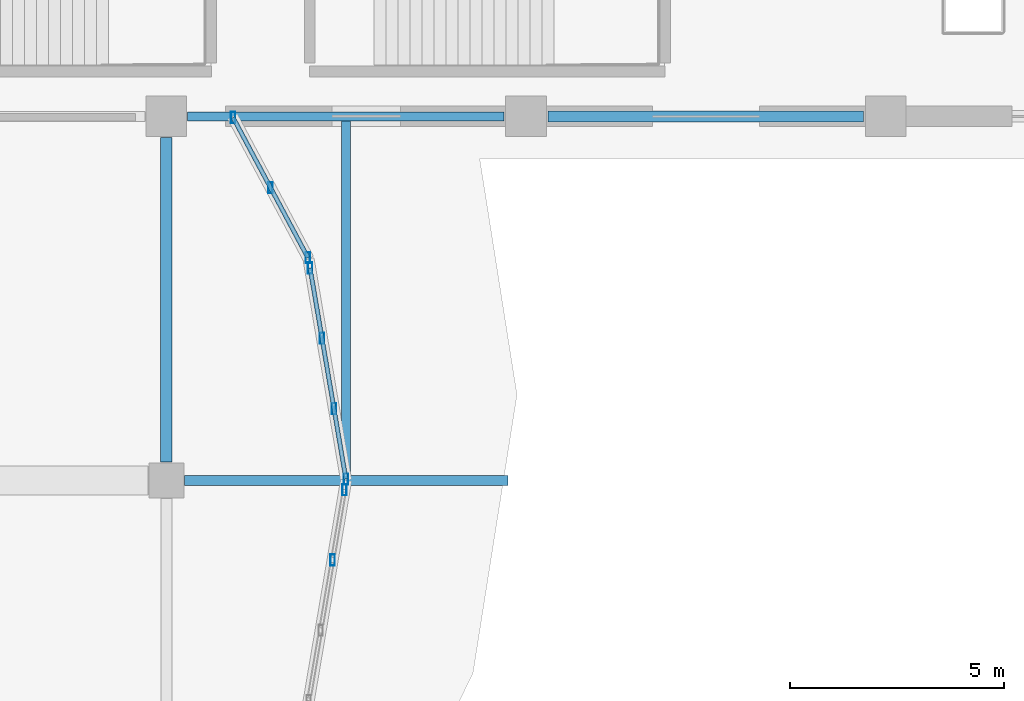
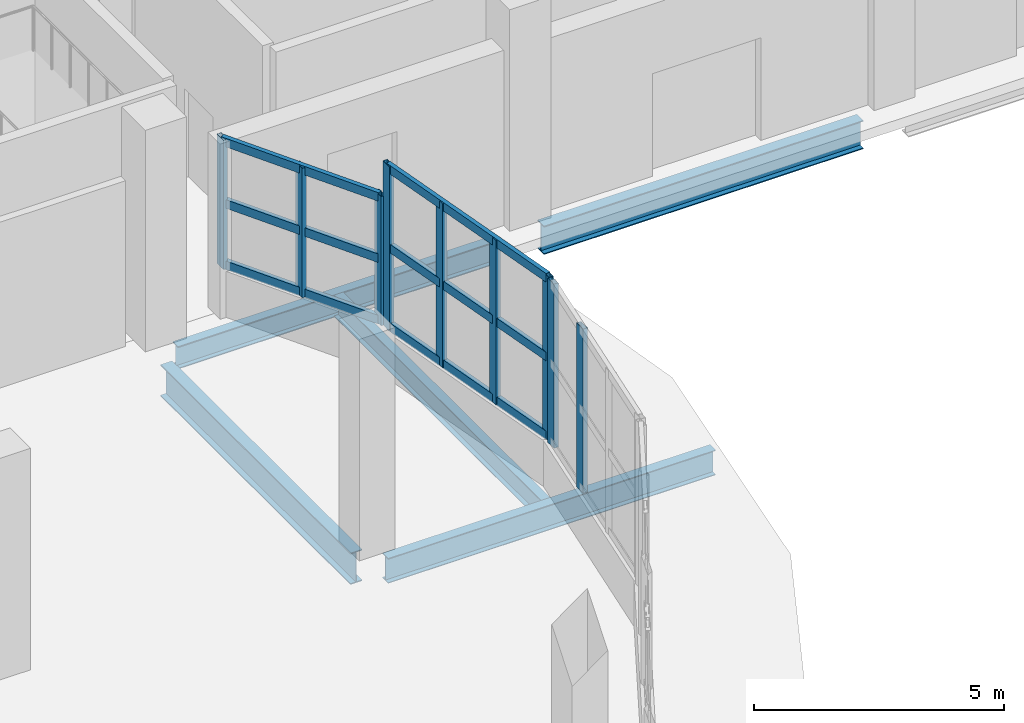
# One storey, part 16 of 107: 15 members, 5 beams, 3 elements without a shape of their own.
"""IFC4 building model written with IfcOpenShell, lengths in metres."""

from ifc_helpers import new_model, si_unit, direction, frame, origin, origin_2d, place, context, subcontext, project, spatial, hollow_rectangle, i_section, extrude, material, material_profile, profile_set, type_object, element, aggregate, save


model = new_model("IFC4")

# Units and contexts
model_context = context("Model", 3, precision=1e-05, world=origin(), true_north=direction((0.0, 1.0)))
body_context = subcontext(model_context, "Body", "Model", "MODEL_VIEW")
ifc_project = project(units=[si_unit("LENGTHUNIT", "METRE"), si_unit("AREAUNIT", "SQUARE_METRE"), si_unit("VOLUMEUNIT", "CUBIC_METRE"), si_unit("PLANEANGLEUNIT", "RADIAN"), si_unit("MASSUNIT", "GRAM", prefix="KILO")], contexts=[model_context])

# Site, building, storey
site_placement = place(None, origin())
site = spatial("IfcSite", under=ifc_project, at=site_placement, CompositionType="ELEMENT")
building_placement = place(site_placement, origin())
building = spatial("IfcBuilding", under=site, at=building_placement, Name="Solvento Point Concert Hall", CompositionType="ELEMENT")
storey_placement = place(building_placement, origin())
storey = spatial("IfcBuildingStorey", under=building, at=storey_placement, Name="L00", CompositionType="ELEMENT", Elevation=0.0)

# Beams
ifc_material_1 = material(Name="Structural Steel ASTM A992 Grade 50", Category="steel")
ifc_material_profile_1 = material_profile(ifc_material_1, i_section(OverallWidth=0.20947265625, OverallDepth=0.532958984375, WebThickness=0.01025390625, FlangeThickness=0.015625, at=origin_2d()), Name="W21X62")
ifc_profile_set_1 = profile_set([ifc_material_profile_1], Name="Structural Steel ASTM A992 Grade 50")
beam_type_1 = type_object("IfcBeamType", Name="Beam_W21X62", PredefinedType="BEAM", material=ifc_profile_set_1)
beam_1_placement = place(storey_placement, frame((87.0, 34.09912109375, -0.700439453125), z_axis=(0.0, 1.0, 0.0), x_axis=(-1.0, 0.0, 0.0)))
element("IfcBeam", 1, at=beam_1_placement, inside=storey, type_object=beam_type_1, Name="Secondary floor joist B-25 L00", PredefinedType="BEAM", context=body_context, shape_type="SweptSolid", body=[
    extrude(i_section(OverallWidth=0.20947265625, OverallDepth=0.532958984375, WebThickness=0.01025390625, FlangeThickness=0.015625, at=origin_2d()), origin(), (0.0, 0.0, 1.0), 8.308837890625),
])
ifc_material_2 = material(Name="Structural Steel ASTM A992 Grade 50", Category="steel")
ifc_material_profile_2 = material_profile(ifc_material_2, i_section(OverallWidth=0.214111328125, OverallDepth=0.549072265625, WebThickness=0.0146484375, FlangeThickness=0.023681640625, at=origin_2d()), Name="W21X93")
ifc_profile_set_2 = profile_set([ifc_material_profile_2], Name="Structural Steel ASTM A992 Grade 50")
beam_type_2 = type_object("IfcBeamType", Name="Beam_W21X93", PredefinedType="BEAM", material=ifc_profile_set_2)
beam_2_placement = place(storey_placement, frame((83.2939453125, 42.5, -0.70849609375), z_axis=(1.0, 0.0, 0.0), x_axis=(0.0, 1.0, 0.0)))
element("IfcBeam", 2, at=beam_2_placement, inside=storey, type_object=beam_type_2, Name="Primary girder B-48 L00", PredefinedType="BEAM", context=body_context, shape_type="SweptSolid", body=[
    extrude(i_section(OverallWidth=0.214111328125, OverallDepth=0.549072265625, WebThickness=0.0146484375, FlangeThickness=0.023681640625, at=origin_2d()), origin(), (0.0, 0.0, 1.0), 7.386962890625),
])
ifc_material_3 = material(Name="Structural Steel ASTM A992 Grade 50", Category="steel")
ifc_material_profile_3 = material_profile(ifc_material_3, i_section(OverallWidth=0.228515625, OverallDepth=0.60791015625, WebThickness=0.01123046875, FlangeThickness=0.017333984375, at=origin_2d()), Name="W24X76")
ifc_profile_set_3 = profile_set([ifc_material_profile_3], Name="Structural Steel ASTM A992 Grade 50")
beam_type_3 = type_object("IfcBeamType", Name="Beam_W24X76", PredefinedType="BEAM", material=ifc_profile_set_3)
beam_3_placement = place(storey_placement, frame((83.22412109375, 34.0, -0.718017578125), z_axis=(1.0, 0.0, 0.0), x_axis=(0.0, 1.0, 0.0)))
element("IfcBeam", 3, at=beam_3_placement, inside=storey, type_object=beam_type_3, Name="Primary girder B-42 L00", PredefinedType="BEAM", context=body_context, shape_type="SweptSolid", body=[
    extrude(i_section(OverallWidth=0.228515625, OverallDepth=0.60791015625, WebThickness=0.01123046875, FlangeThickness=0.017333984375, at=origin_2d()), origin(), (0.0, 0.0, 1.0), 7.5517578125),
])
ifc_material_4 = material(Name="Structural Steel ASTM A992 Grade 50", Category="steel")
ifc_material_profile_4 = material_profile(ifc_material_4, i_section(OverallWidth=0.256103515625, OverallDepth=0.693115234375, WebThickness=0.014404296875, FlangeThickness=0.023681640625, at=origin_2d()), Name="W27X114")
ifc_profile_set_4 = profile_set([ifc_material_profile_4], Name="Structural Steel ASTM A992 Grade 50")
beam_type_4 = type_object("IfcBeamType", Name="Girder_W27X114", PredefinedType="USERDEFINED", material=ifc_profile_set_4)
beam_4_placement = place(storey_placement, frame((91.718994140625, 42.5, -0.780517578125), z_axis=(1.0, 0.0, 0.0), x_axis=(0.0, 1.0, 0.0)))
element("IfcBeam", 4, at=beam_4_placement, inside=storey, type_object=beam_type_4, Name="Primary girder B-23 L00", ObjectType="GIRDER", PredefinedType="USERDEFINED", context=body_context, shape_type="SweptSolid", body=[
    extrude(i_section(OverallWidth=0.256103515625, OverallDepth=0.693115234375, WebThickness=0.014404296875, FlangeThickness=0.023681640625, at=origin_2d()), origin(), (0.0, 0.0, 1.0), 7.362060546875),
])
ifc_material_5 = material(Name="Structural Steel ASTM A992 Grade 50", Category="steel")
ifc_material_profile_5 = material_profile(ifc_material_5, i_section(OverallWidth=0.26806640625, OverallDepth=0.77001953125, WebThickness=0.015625, FlangeThickness=0.025390625, at=origin_2d()), Name="W30X132")
ifc_profile_set_5 = profile_set([ifc_material_profile_5], Name="Structural Steel ASTM A992 Grade 50")
beam_type_5 = type_object("IfcBeamType", Name="Girder_W30X132", PredefinedType="USERDEFINED", material=ifc_profile_set_5)
beam_5_placement = place(storey_placement, frame((82.800048828125, 34.424072265625, -0.799072265625), z_axis=(0.0, 1.0, 0.0), x_axis=(-1.0, 0.0, 0.0)))
element("IfcBeam", 5, at=beam_5_placement, inside=storey, type_object=beam_type_5, Name="Primary girder B-68 L00", ObjectType="GIRDER", PredefinedType="USERDEFINED", context=body_context, shape_type="SweptSolid", body=[
    extrude(i_section(OverallWidth=0.26806640625, OverallDepth=0.77001953125, WebThickness=0.015625, FlangeThickness=0.025390625, at=origin_2d()), origin(), (0.0, 0.0, 1.0), 7.58203125),
])

# Curtain wall, members
ifc_material_6 = material(Name="Anodized Bronze Aluminium", Category="aluminium")
curtain_wall_type = type_object("IfcCurtainWallType", Name="CurtainWall_FoyerL00", PredefinedType="USERDEFINED", material=ifc_material_6)
curtain_wall_1_placement = place(storey_placement, origin())
curtain_wall_1 = element("IfcCurtainWall", 6, at=curtain_wall_1_placement, inside=storey, type_object=curtain_wall_type, Name="Unitised curtain wall CW-29 UCW-L00-014", ObjectType="UNITISED CURTAIN WALL", PredefinedType="USERDEFINED")
ifc_material_7 = material(Name="Anodized Bronze Aluminium", Category="aluminium")
ifc_material_profile_6 = material_profile(ifc_material_7, hollow_rectangle(XDim=0.10009765625, YDim=0.260009765625, WallThickness=0.0048828125, at=origin_2d()), Name="CW-MUL-100X260")
ifc_profile_set_6 = profile_set([ifc_material_profile_6], Name="Anodized Bronze Aluminium")
member_type_1 = type_object("IfcMemberType", Name="Mullion_100x260", PredefinedType="MULLION", material=ifc_profile_set_6)
member_1_placement = place(storey_placement, frame((84.359130859375, 42.473388671875, 1.1201171875), z_axis=(0.0, 0.0, 1.0), x_axis=(1.0, 0.0, 0.0)))
member_1 = element("IfcMember", 7, at=member_1_placement, type_object=member_type_1, Name="Curtain wall mullion ML-03", PredefinedType="MULLION", context=body_context, shape_type="SweptSolid", body=[
    extrude(hollow_rectangle(XDim=0.10009765625, YDim=0.260009765625, WallThickness=0.0048828125, at=origin_2d()), origin(), (0.0, 0.0, 1.0), 3.15087890625),
])
member_2_placement = place(storey_placement, frame((85.23291015625, 40.838134765625, 1.1201171875), z_axis=(0.0, 0.0, 1.0), x_axis=(1.0, 0.0, 0.0)))
member_2 = element("IfcMember", 8, at=member_2_placement, type_object=member_type_1, Name="Curtain wall mullion ML-03", PredefinedType="MULLION", context=body_context, shape_type="SweptSolid", body=[
    extrude(hollow_rectangle(XDim=0.10009765625, YDim=0.260009765625, WallThickness=0.0048828125, at=origin_2d()), origin(), (0.0, 0.0, 1.0), 3.15087890625),
])
member_3_placement = place(storey_placement, frame((86.106689453125, 39.202880859375, 1.1201171875), z_axis=(0.0, 0.0, 1.0), x_axis=(1.0, 0.0, 0.0)))
member_3 = element("IfcMember", 9, at=member_3_placement, type_object=member_type_1, Name="Curtain wall mullion ML-03", PredefinedType="MULLION", context=body_context, shape_type="SweptSolid", body=[
    extrude(hollow_rectangle(XDim=0.10009765625, YDim=0.260009765625, WallThickness=0.0048828125, at=origin_2d()), origin(), (0.0, 0.0, 1.0), 3.15087890625),
])

curtain_wall_2_placement = place(storey_placement, origin())
curtain_wall_2 = element("IfcCurtainWall", 10, at=curtain_wall_2_placement, inside=storey, type_object=curtain_wall_type, Name="Unitised curtain wall CW-29 UCW-L00-015", ObjectType="UNITISED CURTAIN WALL", PredefinedType="USERDEFINED")
member_4_placement = place(storey_placement, frame((86.15771484375, 38.95947265625, 1.1201171875), z_axis=(0.0, 0.0, 1.0), x_axis=(1.0, 0.0, 0.0)))
member_4 = element("IfcMember", 11, at=member_4_placement, type_object=member_type_1, Name="Curtain wall mullion ML-03", PredefinedType="MULLION", context=body_context, shape_type="SweptSolid", body=[
    extrude(hollow_rectangle(XDim=0.10009765625, YDim=0.260009765625, WallThickness=0.0048828125, at=origin_2d()), origin(), (0.0, 0.0, 1.0), 4.0),
])
member_5_placement = place(storey_placement, frame((86.436767578125, 37.316162109375, 1.1201171875), z_axis=(0.0, 0.0, 1.0), x_axis=(1.0, 0.0, 0.0)))
member_5 = element("IfcMember", 12, at=member_5_placement, type_object=member_type_1, Name="Curtain wall mullion ML-03", PredefinedType="MULLION", context=body_context, shape_type="SweptSolid", body=[
    extrude(hollow_rectangle(XDim=0.10009765625, YDim=0.260009765625, WallThickness=0.0048828125, at=origin_2d()), origin(), (0.0, 0.0, 1.0), 4.0),
])
member_6_placement = place(storey_placement, frame((86.7158203125, 35.6728515625, 1.1201171875), z_axis=(0.0, 0.0, 1.0), x_axis=(1.0, 0.0, 0.0)))
member_6 = element("IfcMember", 13, at=member_6_placement, type_object=member_type_1, Name="Curtain wall mullion ML-03", PredefinedType="MULLION", context=body_context, shape_type="SweptSolid", body=[
    extrude(hollow_rectangle(XDim=0.10009765625, YDim=0.260009765625, WallThickness=0.0048828125, at=origin_2d()), origin(), (0.0, 0.0, 1.0), 4.0),
])
member_7_placement = place(storey_placement, frame((86.9951171875, 34.029541015625, 1.1201171875), z_axis=(0.0, 0.0, 1.0), x_axis=(1.0, 0.0, 0.0)))
member_7 = element("IfcMember", 14, at=member_7_placement, type_object=member_type_1, Name="Curtain wall mullion ML-03", PredefinedType="MULLION", context=body_context, shape_type="SweptSolid", body=[
    extrude(hollow_rectangle(XDim=0.10009765625, YDim=0.260009765625, WallThickness=0.0048828125, at=origin_2d()), origin(), (0.0, 0.0, 1.0), 4.0),
])

curtain_wall_3_placement = place(storey_placement, origin())
curtain_wall_3 = element("IfcCurtainWall", 15, at=curtain_wall_3_placement, inside=storey, type_object=curtain_wall_type, Name="Unitised curtain wall CW-29 UCW-L00-016", ObjectType="UNITISED CURTAIN WALL", PredefinedType="USERDEFINED")
member_8_placement = place(storey_placement, frame((86.963134765625, 33.783203125, 1.1201171875), z_axis=(0.0, 0.0, 1.0), x_axis=(1.0, 0.0, 0.0)))
member_8 = element("IfcMember", 16, at=member_8_placement, type_object=member_type_1, Name="Curtain wall mullion ML-03", PredefinedType="MULLION", context=body_context, shape_type="SweptSolid", body=[
    extrude(hollow_rectangle(XDim=0.10009765625, YDim=0.260009765625, WallThickness=0.0048828125, at=origin_2d()), origin(), (0.0, 0.0, 1.0), 4.0),
])
member_9_placement = place(storey_placement, frame((86.68408203125, 32.139892578125, 1.1201171875), z_axis=(0.0, 0.0, 1.0), x_axis=(1.0, 0.0, 0.0)))
member_9 = element("IfcMember", 17, at=member_9_placement, type_object=member_type_1, Name="Curtain wall mullion ML-03", PredefinedType="MULLION", context=body_context, shape_type="SweptSolid", body=[
    extrude(hollow_rectangle(XDim=0.10009765625, YDim=0.260009765625, WallThickness=0.0048828125, at=origin_2d()), origin(), (0.0, 0.0, 1.0), 4.0),
])
aggregate(curtain_wall_3, [member_8, member_9])

# Member
ifc_material_8 = material(Name="Anodized Bronze Aluminium", Category="aluminium")
ifc_material_profile_7 = material_profile(ifc_material_8, hollow_rectangle(XDim=0.10009765625, YDim=0.2099609375, WallThickness=0.0048828125, at=origin_2d()), Name="CW-TRN-100X210")
ifc_profile_set_7 = profile_set([ifc_material_profile_7], Name="Anodized Bronze Aluminium")
member_type_2 = type_object("IfcMemberType", Name="Transom_100x210", PredefinedType="USERDEFINED", material=ifc_profile_set_7)
member_10_placement = place(storey_placement, frame((84.359130859375, 42.473388671875, 1.199951171875), z_axis=(0.471278379738, -0.88198451732, 0.0), x_axis=(0.88198451732, 0.471278379738, 0.0)))
member_10 = element("IfcMember", 18, at=member_10_placement, type_object=member_type_2, Name="Curtain wall transom TR-03", ObjectType="TRANSOM", PredefinedType="USERDEFINED", context=body_context, shape_type="SweptSolid", body=[
    extrude(hollow_rectangle(XDim=0.10009765625, YDim=0.2099609375, WallThickness=0.0048828125, at=origin_2d()), origin(), (0.0, 0.0, 1.0), 3.7080078125),
])

member_11_placement = place(storey_placement, frame((84.359130859375, 42.473388671875, 2.695556640625), z_axis=(0.471278379738, -0.88198451732, 0.0), x_axis=(0.88198451732, 0.471278379738, 0.0)))
member_11 = element("IfcMember", 19, at=member_11_placement, type_object=member_type_2, Name="Curtain wall transom TR-03", ObjectType="TRANSOM", PredefinedType="USERDEFINED", context=body_context, shape_type="SweptSolid", body=[
    extrude(hollow_rectangle(XDim=0.10009765625, YDim=0.2099609375, WallThickness=0.0048828125, at=origin_2d()), origin(), (0.0, 0.0, 1.0), 3.7080078125),
])

member_12_placement = place(storey_placement, frame((84.359130859375, 42.473388671875, 4.19091796875), z_axis=(0.471278379738, -0.88198451732, 0.0), x_axis=(0.88198451732, 0.471278379738, 0.0)))
member_12 = element("IfcMember", 20, at=member_12_placement, type_object=member_type_2, Name="Curtain wall transom TR-03", ObjectType="TRANSOM", PredefinedType="USERDEFINED", context=body_context, shape_type="SweptSolid", body=[
    extrude(hollow_rectangle(XDim=0.10009765625, YDim=0.2099609375, WallThickness=0.0048828125, at=origin_2d()), origin(), (0.0, 0.0, 1.0), 3.7080078125),
])

aggregate(curtain_wall_1, [member_1, member_2, member_3, member_10, member_11, member_12])

member_13_placement = place(storey_placement, frame((86.15771484375, 38.95947265625, 1.199951171875), z_axis=(0.167462153858, -0.985878505205, 0.0), x_axis=(0.985878505205, 0.167462153858, 0.0)))
member_13 = element("IfcMember", 21, at=member_13_placement, type_object=member_type_2, Name="Curtain wall transom TR-03", ObjectType="TRANSOM", PredefinedType="USERDEFINED", context=body_context, shape_type="SweptSolid", body=[
    extrude(hollow_rectangle(XDim=0.10009765625, YDim=0.2099609375, WallThickness=0.0048828125, at=origin_2d()), origin(), (0.0, 0.0, 1.0), 5.00048828125),
])

member_14_placement = place(storey_placement, frame((86.15771484375, 38.95947265625, 3.1201171875), z_axis=(0.167462153858, -0.985878505205, 0.0), x_axis=(0.985878505205, 0.167462153858, 0.0)))
member_14 = element("IfcMember", 22, at=member_14_placement, type_object=member_type_2, Name="Curtain wall transom TR-03", ObjectType="TRANSOM", PredefinedType="USERDEFINED", context=body_context, shape_type="SweptSolid", body=[
    extrude(hollow_rectangle(XDim=0.10009765625, YDim=0.2099609375, WallThickness=0.0048828125, at=origin_2d()), origin(), (0.0, 0.0, 1.0), 5.00048828125),
])

member_15_placement = place(storey_placement, frame((86.15771484375, 38.95947265625, 5.0400390625), z_axis=(0.167462153858, -0.985878505205, 0.0), x_axis=(0.985878505205, 0.167462153858, 0.0)))
member_15 = element("IfcMember", 23, at=member_15_placement, type_object=member_type_2, Name="Curtain wall transom TR-03", ObjectType="TRANSOM", PredefinedType="USERDEFINED", context=body_context, shape_type="SweptSolid", body=[
    extrude(hollow_rectangle(XDim=0.10009765625, YDim=0.2099609375, WallThickness=0.0048828125, at=origin_2d()), origin(), (0.0, 0.0, 1.0), 5.00048828125),
])

aggregate(curtain_wall_2, [member_4, member_5, member_6, member_7, member_13, member_14, member_15])

save(model, "model.ifc")
